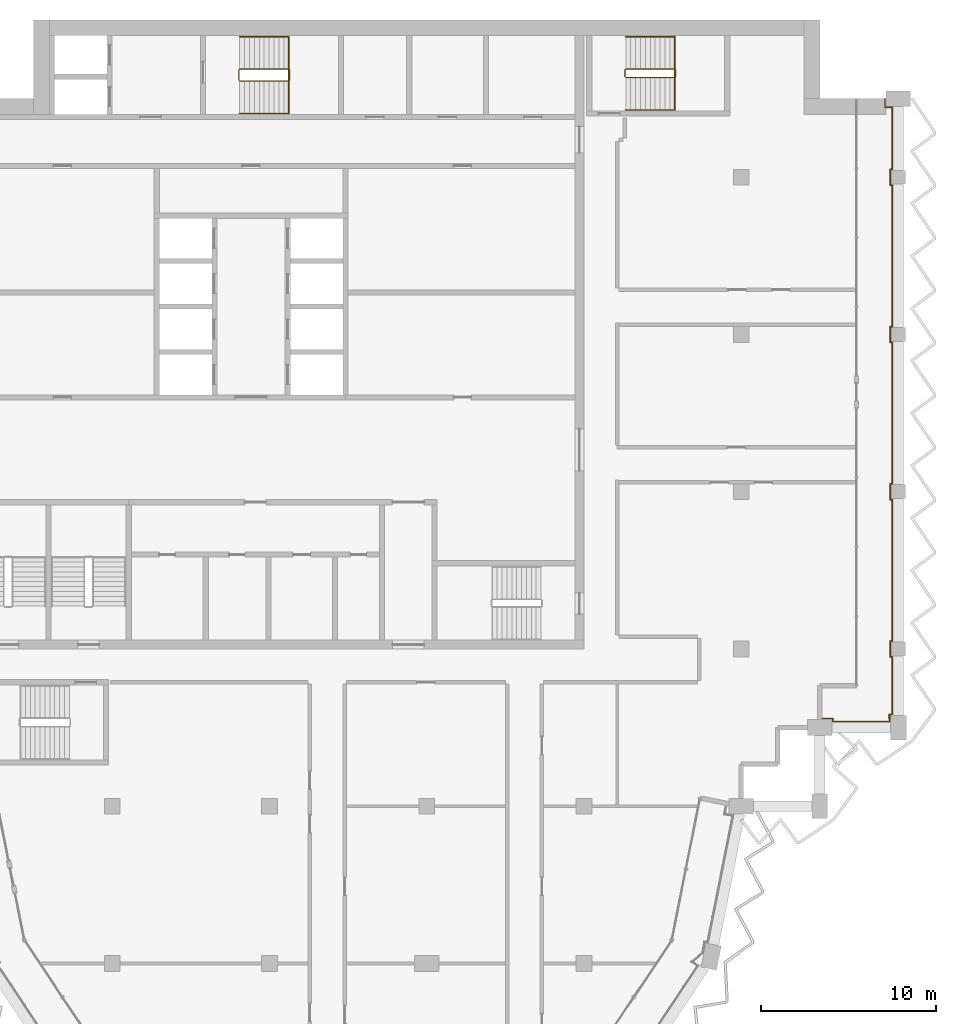
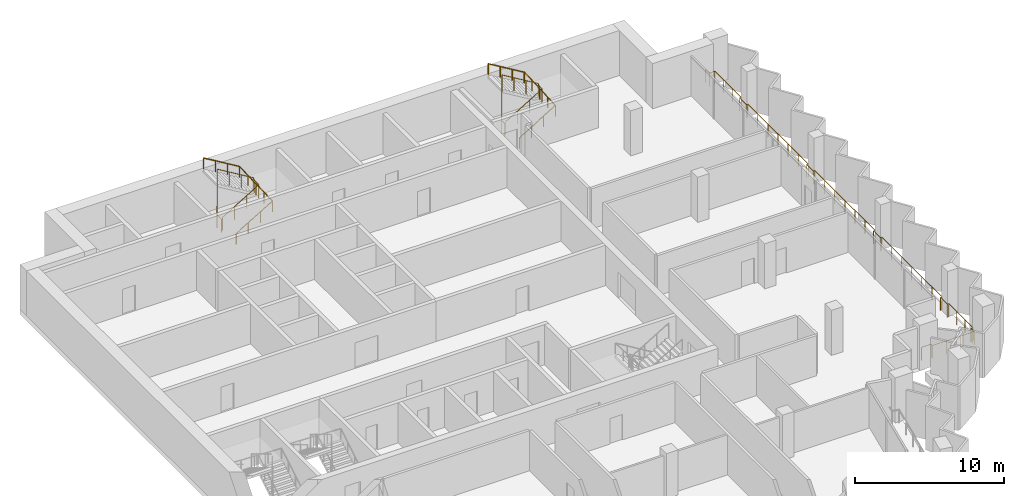
# One storey, part 14 of 14: 5 railings.
"""IFC4 building model written with IfcOpenShell, lengths in metres."""

from ifc_helpers import new_model, si_unit, direction, frame, origin, origin_2d, place, context, subcontext, project, spatial, circle, extrude, material, type_object, element, save


model = new_model("IFC4")

# Units and contexts
model_context = context("Model", 3, precision=1e-05, world=origin(), true_north=direction((0.0, 1.0)))
body_context = subcontext(model_context, "Body", "Model", "MODEL_VIEW")
ifc_project = project(units=[si_unit("LENGTHUNIT", "METRE"), si_unit("AREAUNIT", "SQUARE_METRE"), si_unit("VOLUMEUNIT", "CUBIC_METRE"), si_unit("PLANEANGLEUNIT", "RADIAN"), si_unit("MASSUNIT", "GRAM", prefix="KILO")], contexts=[model_context])

# Site, building, storey
site_placement = place(None, origin())
site = spatial("IfcSite", under=ifc_project, at=site_placement, CompositionType="ELEMENT")
building_placement = place(site_placement, origin())
building = spatial("IfcBuilding", under=site, at=building_placement, Name="Hunhe Ridgeline Campus", CompositionType="ELEMENT")
storey_placement = place(building_placement, frame((0.0, 0.0, 288.199951171875)))
storey = spatial("IfcBuildingStorey", under=building, at=storey_placement, Name="L74", CompositionType="ELEMENT", Elevation=288.199951171875)

# Railings
ifc_material_1 = material(Name="Steel Q355", Category="steel")
railing_type_1 = type_object("IfcRailingType", Name="Loggia guard 1100 Steel Q355", PredefinedType="GUARDRAIL", material=ifc_material_1)
railing_1_placement = place(storey_placement, frame((49.5, 59.02001953125, 0.0)))
element("IfcRailing", 1, at=railing_1_placement, inside=storey, type_object=railing_type_1, Name="Loggia guard 2", PredefinedType="GUARDRAIL", context=body_context, shape_type="SweptSolid", body=[
    extrude(circle(Radius=0.02392578125, at=origin_2d()), frame((0.0, 0.0, 1.076171875), z_axis=(1.0, 0.0, 0.0), x_axis=(0.0, 1.0, 0.0)), (0.0, 0.0, 1.0), 0.75),
    extrude(circle(Radius=0.02392578125, at=origin_2d()), frame((0.75, 0.0, 1.076171875), z_axis=(0.0, -1.0, 0.0), x_axis=(1.0, 0.0, 0.0)), (0.0, 0.0, 1.0), 0.169921875),
    extrude(circle(Radius=0.02392578125, at=origin_2d()), frame((0.75, -0.169921875, 1.076171875), z_axis=(1.0, 0.0, 0.0), x_axis=(0.0, 1.0, 0.0)), (0.0, 0.0, 1.0), 3.25),
    extrude(circle(Radius=0.02392578125, at=origin_2d()), frame((4.0, -0.169921875, 1.076171875), z_axis=(0.0, 1.0, 0.0), x_axis=(-1.0, 0.0, 0.0)), (0.0, 0.0, 1.0), 0.419921875),
    extrude(circle(Radius=0.02392578125, at=origin_2d()), frame((4.0, 0.25, 1.076171875), z_axis=(-0.079822602517, -0.996809085095, 0.0), x_axis=(0.996809085095, -0.079822602517, 0.0)), (0.0, 0.0, 1.0), 0.250732421875),
    extrude(circle(Radius=0.02392578125, at=origin_2d()), frame((3.97998046875, 0.0, 1.076171875), z_axis=(0.0, 1.0, 0.0), x_axis=(-1.0, 0.0, 0.0)), (0.0, 0.0, 1.0), 0.22998046875),
    extrude(circle(Radius=0.02392578125, at=origin_2d()), frame((3.97998046875, 0.22998046875, 1.076171875), z_axis=(1.0, 0.0, 0.0), x_axis=(0.0, 1.0, 0.0)), (0.0, 0.0, 1.0), 0.169921875),
    extrude(circle(Radius=0.02392578125, at=origin_2d()), frame((4.14990234375, 0.22998046875, 1.076171875), z_axis=(0.0, 1.0, 0.0), x_axis=(-1.0, 0.0, 0.0)), (0.0, 0.0, 1.0), 3.300048828125),
    extrude(circle(Radius=0.02392578125, at=origin_2d()), frame((4.14990234375, 3.530029296875, 1.076171875), z_axis=(-1.0, 0.0, 0.0), x_axis=(0.0, -1.0, 0.0)), (0.0, 0.0, 1.0), 0.119873046875),
    extrude(circle(Radius=0.02392578125, at=origin_2d()), frame((4.030029296875, 3.530029296875, 1.076171875), z_axis=(0.0, 1.0, 0.0), x_axis=(-1.0, 0.0, 0.0)), (0.0, 0.0, 1.0), 0.89990234375),
    extrude(circle(Radius=0.02392578125, at=origin_2d()), frame((4.030029296875, 4.429931640625, 1.076171875), z_axis=(1.0, 0.0, 0.0), x_axis=(0.0, 1.0, 0.0)), (0.0, 0.0, 1.0), 0.119873046875),
    extrude(circle(Radius=0.02392578125, at=origin_2d()), frame((4.14990234375, 4.429931640625, 1.076171875), z_axis=(0.0, 1.0, 0.0), x_axis=(-1.0, 0.0, 0.0)), (0.0, 0.0, 1.0), 8.10009765625),
    extrude(circle(Radius=0.02392578125, at=origin_2d()), frame((4.14990234375, 12.530029296875, 1.076171875), z_axis=(-1.0, 0.0, 0.0), x_axis=(0.0, -1.0, 0.0)), (0.0, 0.0, 1.0), 0.119873046875),
    extrude(circle(Radius=0.02392578125, at=origin_2d()), frame((4.030029296875, 12.530029296875, 1.076171875), z_axis=(0.0, 1.0, 0.0), x_axis=(-1.0, 0.0, 0.0)), (0.0, 0.0, 1.0), 0.89990234375),
    extrude(circle(Radius=0.02392578125, at=origin_2d()), frame((4.030029296875, 13.429931640625, 1.076171875), z_axis=(1.0, 0.0, 0.0), x_axis=(0.0, 1.0, 0.0)), (0.0, 0.0, 1.0), 0.119873046875),
    extrude(circle(Radius=0.02392578125, at=origin_2d()), frame((4.14990234375, 13.429931640625, 1.076171875), z_axis=(0.0, 1.0, 0.0), x_axis=(-1.0, 0.0, 0.0)), (0.0, 0.0, 1.0), 8.10009765625),
    extrude(circle(Radius=0.02392578125, at=origin_2d()), frame((4.14990234375, 21.530029296875, 1.076171875), z_axis=(-1.0, 0.0, 0.0), x_axis=(0.0, -1.0, 0.0)), (0.0, 0.0, 1.0), 0.119873046875),
    extrude(circle(Radius=0.02392578125, at=origin_2d()), frame((4.030029296875, 21.530029296875, 1.076171875), z_axis=(0.0, 1.0, 0.0), x_axis=(-1.0, 0.0, 0.0)), (0.0, 0.0, 1.0), 0.89990234375),
    extrude(circle(Radius=0.02392578125, at=origin_2d()), frame((4.030029296875, 22.429931640625, 1.076171875), z_axis=(1.0, 0.0, 0.0), x_axis=(0.0, 1.0, 0.0)), (0.0, 0.0, 1.0), 0.119873046875),
    extrude(circle(Radius=0.02392578125, at=origin_2d()), frame((4.14990234375, 22.429931640625, 1.076171875), z_axis=(0.0, 1.0, 0.0), x_axis=(-1.0, 0.0, 0.0)), (0.0, 0.0, 1.0), 8.10009765625),
    extrude(circle(Radius=0.02392578125, at=origin_2d()), frame((4.14990234375, 30.530029296875, 1.076171875), z_axis=(-1.0, 0.0, 0.0), x_axis=(0.0, -1.0, 0.0)), (0.0, 0.0, 1.0), 0.119873046875),
    extrude(circle(Radius=0.02392578125, at=origin_2d()), frame((4.030029296875, 30.530029296875, 1.076171875), z_axis=(0.0, 1.0, 0.0), x_axis=(-1.0, 0.0, 0.0)), (0.0, 0.0, 1.0), 0.89990234375),
    extrude(circle(Radius=0.02392578125, at=origin_2d()), frame((4.030029296875, 31.429931640625, 1.076171875), z_axis=(1.0, 0.0, 0.0), x_axis=(0.0, 1.0, 0.0)), (0.0, 0.0, 1.0), 0.119873046875),
    extrude(circle(Radius=0.02392578125, at=origin_2d()), frame((4.14990234375, 31.429931640625, 1.076171875), z_axis=(0.0, 1.0, 0.0), x_axis=(-1.0, 0.0, 0.0)), (0.0, 0.0, 1.0), 3.550048828125),
    extrude(circle(Radius=0.02392578125, at=origin_2d()), frame((4.14990234375, 34.97998046875, 1.076171875), z_axis=(-1.0, 0.0, 0.0), x_axis=(0.0, -1.0, 0.0)), (0.0, 0.0, 1.0), 0.419921875),
    extrude(circle(Radius=0.02392578125, at=origin_2d()), frame((3.72998046875, 34.97998046875, 1.076171875), z_axis=(0.0, 1.0, 0.0), x_axis=(-1.0, 0.0, 0.0)), (0.0, 0.0, 1.0), 0.5),
    extrude(circle(Radius=0.02099609375, at=origin_2d()), origin(), (0.0, 0.0, 1.0), 1.052001953125),
    extrude(circle(Radius=0.02099609375, at=origin_2d()), frame((0.75, 0.0, 0.0)), (0.0, 0.0, 1.0), 1.052001953125),
    extrude(circle(Radius=0.02099609375, at=origin_2d()), frame((0.75, -0.169921875, 0.0)), (0.0, 0.0, 1.0), 1.052001953125),
    extrude(circle(Radius=0.02099609375, at=origin_2d()), frame((1.833251953125, -0.169921875, 0.0)), (0.0, 0.0, 1.0), 1.052001953125),
    extrude(circle(Radius=0.02099609375, at=origin_2d()), frame((2.916748046875, -0.169921875, 0.0)), (0.0, 0.0, 1.0), 1.052001953125),
    extrude(circle(Radius=0.02099609375, at=origin_2d()), frame((4.0, -0.169921875, 0.0)), (0.0, 0.0, 1.0), 1.052001953125),
    extrude(circle(Radius=0.02099609375, at=origin_2d()), frame((4.0, 0.25, 0.0)), (0.0, 0.0, 1.0), 1.052001953125),
    extrude(circle(Radius=0.02099609375, at=origin_2d()), frame((3.97998046875, 0.0, 0.0)), (0.0, 0.0, 1.0), 1.052001953125),
    extrude(circle(Radius=0.02099609375, at=origin_2d()), frame((3.97998046875, 0.22998046875, 0.0)), (0.0, 0.0, 1.0), 1.052001953125),
    extrude(circle(Radius=0.02099609375, at=origin_2d()), frame((4.14990234375, 0.22998046875, 0.0)), (0.0, 0.0, 1.0), 1.052001953125),
    extrude(circle(Radius=0.02099609375, at=origin_2d()), frame((4.14990234375, 1.330078125, 0.0)), (0.0, 0.0, 1.0), 1.052001953125),
    extrude(circle(Radius=0.02099609375, at=origin_2d()), frame((4.14990234375, 2.429931640625, 0.0)), (0.0, 0.0, 1.0), 1.052001953125),
    extrude(circle(Radius=0.02099609375, at=origin_2d()), frame((4.14990234375, 3.530029296875, 0.0)), (0.0, 0.0, 1.0), 1.052001953125),
    extrude(circle(Radius=0.02099609375, at=origin_2d()), frame((4.030029296875, 3.530029296875, 0.0)), (0.0, 0.0, 1.0), 1.052001953125),
    extrude(circle(Radius=0.02099609375, at=origin_2d()), frame((4.030029296875, 4.429931640625, 0.0)), (0.0, 0.0, 1.0), 1.052001953125),
    extrude(circle(Radius=0.02099609375, at=origin_2d()), frame((4.14990234375, 4.429931640625, 0.0)), (0.0, 0.0, 1.0), 1.052001953125),
    extrude(circle(Radius=0.02099609375, at=origin_2d()), frame((4.14990234375, 5.780029296875, 0.0)), (0.0, 0.0, 1.0), 1.052001953125),
    extrude(circle(Radius=0.02099609375, at=origin_2d()), frame((4.14990234375, 7.1298828125, 0.0)), (0.0, 0.0, 1.0), 1.052001953125),
    extrude(circle(Radius=0.02099609375, at=origin_2d()), frame((4.14990234375, 8.47998046875, 0.0)), (0.0, 0.0, 1.0), 1.052001953125),
    extrude(circle(Radius=0.02099609375, at=origin_2d()), frame((4.14990234375, 9.830078125, 0.0)), (0.0, 0.0, 1.0), 1.052001953125),
    extrude(circle(Radius=0.02099609375, at=origin_2d()), frame((4.14990234375, 11.179931640625, 0.0)), (0.0, 0.0, 1.0), 1.052001953125),
    extrude(circle(Radius=0.02099609375, at=origin_2d()), frame((4.14990234375, 12.530029296875, 0.0)), (0.0, 0.0, 1.0), 1.052001953125),
    extrude(circle(Radius=0.02099609375, at=origin_2d()), frame((4.030029296875, 12.530029296875, 0.0)), (0.0, 0.0, 1.0), 1.052001953125),
    extrude(circle(Radius=0.02099609375, at=origin_2d()), frame((4.030029296875, 13.429931640625, 0.0)), (0.0, 0.0, 1.0), 1.052001953125),
    extrude(circle(Radius=0.02099609375, at=origin_2d()), frame((4.14990234375, 13.429931640625, 0.0)), (0.0, 0.0, 1.0), 1.052001953125),
    extrude(circle(Radius=0.02099609375, at=origin_2d()), frame((4.14990234375, 14.780029296875, 0.0)), (0.0, 0.0, 1.0), 1.052001953125),
    extrude(circle(Radius=0.02099609375, at=origin_2d()), frame((4.14990234375, 16.1298828125, 0.0)), (0.0, 0.0, 1.0), 1.052001953125),
    extrude(circle(Radius=0.02099609375, at=origin_2d()), frame((4.14990234375, 17.47998046875, 0.0)), (0.0, 0.0, 1.0), 1.052001953125),
    extrude(circle(Radius=0.02099609375, at=origin_2d()), frame((4.14990234375, 18.830078125, 0.0)), (0.0, 0.0, 1.0), 1.052001953125),
    extrude(circle(Radius=0.02099609375, at=origin_2d()), frame((4.14990234375, 20.179931640625, 0.0)), (0.0, 0.0, 1.0), 1.052001953125),
    extrude(circle(Radius=0.02099609375, at=origin_2d()), frame((4.14990234375, 21.530029296875, 0.0)), (0.0, 0.0, 1.0), 1.052001953125),
    extrude(circle(Radius=0.02099609375, at=origin_2d()), frame((4.030029296875, 21.530029296875, 0.0)), (0.0, 0.0, 1.0), 1.052001953125),
    extrude(circle(Radius=0.02099609375, at=origin_2d()), frame((4.030029296875, 22.429931640625, 0.0)), (0.0, 0.0, 1.0), 1.052001953125),
    extrude(circle(Radius=0.02099609375, at=origin_2d()), frame((4.14990234375, 22.429931640625, 0.0)), (0.0, 0.0, 1.0), 1.052001953125),
    extrude(circle(Radius=0.02099609375, at=origin_2d()), frame((4.14990234375, 23.780029296875, 0.0)), (0.0, 0.0, 1.0), 1.052001953125),
    extrude(circle(Radius=0.02099609375, at=origin_2d()), frame((4.14990234375, 25.1298828125, 0.0)), (0.0, 0.0, 1.0), 1.052001953125),
    extrude(circle(Radius=0.02099609375, at=origin_2d()), frame((4.14990234375, 26.47998046875, 0.0)), (0.0, 0.0, 1.0), 1.052001953125),
    extrude(circle(Radius=0.02099609375, at=origin_2d()), frame((4.14990234375, 27.830078125, 0.0)), (0.0, 0.0, 1.0), 1.052001953125),
    extrude(circle(Radius=0.02099609375, at=origin_2d()), frame((4.14990234375, 29.179931640625, 0.0)), (0.0, 0.0, 1.0), 1.052001953125),
    extrude(circle(Radius=0.02099609375, at=origin_2d()), frame((4.14990234375, 30.530029296875, 0.0)), (0.0, 0.0, 1.0), 1.052001953125),
    extrude(circle(Radius=0.02099609375, at=origin_2d()), frame((4.030029296875, 30.530029296875, 0.0)), (0.0, 0.0, 1.0), 1.052001953125),
    extrude(circle(Radius=0.02099609375, at=origin_2d()), frame((4.030029296875, 31.429931640625, 0.0)), (0.0, 0.0, 1.0), 1.052001953125),
    extrude(circle(Radius=0.02099609375, at=origin_2d()), frame((4.14990234375, 31.429931640625, 0.0)), (0.0, 0.0, 1.0), 1.052001953125),
    extrude(circle(Radius=0.02099609375, at=origin_2d()), frame((4.14990234375, 32.61328125, 0.0)), (0.0, 0.0, 1.0), 1.052001953125),
    extrude(circle(Radius=0.02099609375, at=origin_2d()), frame((4.14990234375, 33.796630859375, 0.0)), (0.0, 0.0, 1.0), 1.052001953125),
    extrude(circle(Radius=0.02099609375, at=origin_2d()), frame((4.14990234375, 34.97998046875, 0.0)), (0.0, 0.0, 1.0), 1.052001953125),
    extrude(circle(Radius=0.02099609375, at=origin_2d()), frame((3.72998046875, 34.97998046875, 0.0)), (0.0, 0.0, 1.0), 1.052001953125),
    extrude(circle(Radius=0.02099609375, at=origin_2d()), frame((3.72998046875, 35.47998046875, 0.0)), (0.0, 0.0, 1.0), 1.052001953125),
])
ifc_material_2 = material(Name="Stainless steel balustrade", Category="steel")
railing_type_2 = type_object("IfcRailingType", Name="Stair guard 1100 stainless", PredefinedType="GUARDRAIL", material=ifc_material_2)
railing_2_placement = place(storey_placement, frame((16.300048828125, 95.5, 0.168212890625)))
element("IfcRailing", 2, at=railing_2_placement, inside=storey, type_object=railing_type_2, Name="L74 stair S1 guard", PredefinedType="GUARDRAIL", context=body_context, shape_type="SweptSolid", body=[
    extrude(circle(Radius=0.02392578125, at=origin_2d()), frame((0.0, 0.0, 1.076171875), z_axis=(0.857242210791, 0.0, 0.514913383045), x_axis=(0.0, 1.0, 0.0)), (0.0, 0.0, 1.0), 3.266357421875),
    extrude(circle(Radius=0.02392578125, at=origin_2d()), frame((2.800048828125, 0.0, 2.7578125), z_axis=(0.705375805398, 0.708833529934, 0.0), x_axis=(-0.708833529934, 0.705375805398, 0.0)), (0.0, 0.0, 1.0), 0.070556640625),
    extrude(circle(Radius=0.02392578125, at=origin_2d()), frame((2.849853515625, 0.050048828125, 2.7578125), z_axis=(0.0, 1.0, 0.0), x_axis=(-1.0, 0.0, 0.0)), (0.0, 0.0, 1.0), 0.599853515625),
    extrude(circle(Radius=0.02392578125, at=origin_2d()), frame((2.849853515625, 0.64990234375, 2.7578125), z_axis=(-0.273006030465, 0.27434429532, 0.922064485248), x_axis=(-0.708833529934, -0.705375805398, 0.0)), (0.0, 0.0, 1.0), 0.182373046875),
    extrude(circle(Radius=0.02392578125, at=origin_2d()), frame((2.800048828125, 0.699951171875, 2.92626953125), z_axis=(-0.857275202839, 0.0, 0.514858452973), x_axis=(0.0, -1.0, 0.0)), (0.0, 0.0, 1.0), 3.26611328125),
    extrude(circle(Radius=0.02392578125, at=origin_2d()), frame((0.0, 0.699951171875, 4.60791015625), z_axis=(-0.013524414389, -0.013524414389, -0.999817073484), x_axis=(0.707106781187, -0.707106781187, 0.0)), (0.0, 0.0, 1.0), 3.70068359375),
    extrude(circle(Radius=0.02392578125, at=origin_2d()), frame((-0.050048828125, 0.64990234375, 0.90771484375), z_axis=(0.0, -1.0, 0.0), x_axis=(1.0, 0.0, 0.0)), (0.0, 0.0, 1.0), 0.599853515625),
    extrude(circle(Radius=0.02099609375, at=origin_2d()), origin(), (0.0, 0.0, 1.0), 1.052001953125),
    extrude(circle(Radius=0.02099609375, at=origin_2d()), frame((0.933349609375, 0.0, 0.560546875)), (0.0, 0.0, 1.0), 1.052001953125),
    extrude(circle(Radius=0.02099609375, at=origin_2d()), frame((1.86669921875, 0.0, 1.121337890625)), (0.0, 0.0, 1.0), 1.052001953125),
    extrude(circle(Radius=0.02099609375, at=origin_2d()), frame((2.800048828125, 0.0, 1.681884765625)), (0.0, 0.0, 1.0), 1.052001953125),
    extrude(circle(Radius=0.02099609375, at=origin_2d()), frame((2.849853515625, 0.050048828125, 1.681884765625)), (0.0, 0.0, 1.0), 1.052001953125),
    extrude(circle(Radius=0.02099609375, at=origin_2d()), frame((2.849853515625, 0.64990234375, 1.681884765625)), (0.0, 0.0, 1.0), 1.052001953125),
    extrude(circle(Radius=0.02099609375, at=origin_2d()), frame((2.800048828125, 0.699951171875, 1.85009765625)), (0.0, 0.0, 1.0), 1.052001953125),
    extrude(circle(Radius=0.02099609375, at=origin_2d()), frame((1.86669921875, 0.699951171875, 2.41064453125)), (0.0, 0.0, 1.0), 1.052001953125),
    extrude(circle(Radius=0.02099609375, at=origin_2d()), frame((0.933349609375, 0.699951171875, 2.97119140625)), (0.0, 0.0, 1.0), 1.052001953125),
    extrude(circle(Radius=0.02099609375, at=origin_2d()), frame((0.0, 0.699951171875, 3.53173828125)), (0.0, 0.0, 1.0), 1.052001953125),
    extrude(circle(Radius=0.02099609375, at=origin_2d()), frame((-0.012451171875, 0.6875, 2.606689453125)), (0.0, 0.0, 1.0), 1.052001953125),
    extrude(circle(Radius=0.02099609375, at=origin_2d()), frame((-0.02490234375, 0.6748046875, 1.681640625)), (0.0, 0.0, 1.0), 1.052001953125),
    extrude(circle(Radius=0.02099609375, at=origin_2d()), frame((-0.03759765625, 0.662353515625, 0.7568359375)), (0.0, 0.0, 1.0), 1.052001953125),
    extrude(circle(Radius=0.02099609375, at=origin_2d()), frame((-0.050048828125, 0.64990234375, -0.168212890625)), (0.0, 0.0, 1.0), 1.052001953125),
    extrude(circle(Radius=0.02099609375, at=origin_2d()), frame((-0.050048828125, 0.050048828125, -0.168212890625)), (0.0, 0.0, 1.0), 1.052001953125),
])
railing_3_placement = place(storey_placement, frame((38.39990234375, 95.699951171875, 0.168212890625)))
element("IfcRailing", 3, at=railing_3_placement, inside=storey, type_object=railing_type_2, Name="L74 stair E1 guard", PredefinedType="GUARDRAIL", context=body_context, shape_type="SweptSolid", body=[
    extrude(circle(Radius=0.02392578125, at=origin_2d()), frame((0.0, 0.0, 1.076171875), z_axis=(0.857242210791, 0.0, 0.514913383045), x_axis=(0.0, 1.0, 0.0)), (0.0, 0.0, 1.0), 3.266357421875),
    extrude(circle(Radius=0.02392578125, at=origin_2d()), frame((2.800048828125, 0.0, 2.7578125), z_axis=(0.707106781187, 0.707106781187, 0.0), x_axis=(-0.707106781187, 0.707106781187, 0.0)), (0.0, 0.0, 1.0), 0.07080078125),
    extrude(circle(Radius=0.02392578125, at=origin_2d()), frame((2.85009765625, 0.050048828125, 2.7578125), z_axis=(0.0, 1.0, 0.0), x_axis=(-1.0, 0.0, 0.0)), (0.0, 0.0, 1.0), 0.39990234375),
    extrude(circle(Radius=0.02392578125, at=origin_2d()), frame((2.85009765625, 0.449951171875, 2.7578125), z_axis=(-0.274243871929, 0.274243871929, 0.92172696468), x_axis=(-0.707106781187, -0.707106781187, 0.0)), (0.0, 0.0, 1.0), 0.1826171875),
    extrude(circle(Radius=0.02392578125, at=origin_2d()), frame((2.800048828125, 0.5, 2.92626953125), z_axis=(-0.857275202839, 0.0, 0.514858452973), x_axis=(0.0, -1.0, 0.0)), (0.0, 0.0, 1.0), 3.26611328125),
    extrude(circle(Radius=0.02392578125, at=origin_2d()), frame((0.0, 0.5, 4.60791015625), z_axis=(-0.013458453615, -0.013524426427, -0.999817963389), x_axis=(0.708833529934, -0.705375805398, 0.0)), (0.0, 0.0, 1.0), 3.70068359375),
    extrude(circle(Radius=0.02392578125, at=origin_2d()), frame((-0.0498046875, 0.449951171875, 0.90771484375), z_axis=(0.0, -1.0, 0.0), x_axis=(1.0, 0.0, 0.0)), (0.0, 0.0, 1.0), 0.39990234375),
    extrude(circle(Radius=0.02099609375, at=origin_2d()), origin(), (0.0, 0.0, 1.0), 1.052001953125),
    extrude(circle(Radius=0.02099609375, at=origin_2d()), frame((0.933349609375, 0.0, 0.560546875)), (0.0, 0.0, 1.0), 1.052001953125),
    extrude(circle(Radius=0.02099609375, at=origin_2d()), frame((1.86669921875, 0.0, 1.121337890625)), (0.0, 0.0, 1.0), 1.052001953125),
    extrude(circle(Radius=0.02099609375, at=origin_2d()), frame((2.800048828125, 0.0, 1.681884765625)), (0.0, 0.0, 1.0), 1.052001953125),
    extrude(circle(Radius=0.02099609375, at=origin_2d()), frame((2.85009765625, 0.050048828125, 1.681884765625)), (0.0, 0.0, 1.0), 1.052001953125),
    extrude(circle(Radius=0.02099609375, at=origin_2d()), frame((2.85009765625, 0.449951171875, 1.681884765625)), (0.0, 0.0, 1.0), 1.052001953125),
    extrude(circle(Radius=0.02099609375, at=origin_2d()), frame((2.800048828125, 0.5, 1.85009765625)), (0.0, 0.0, 1.0), 1.052001953125),
    extrude(circle(Radius=0.02099609375, at=origin_2d()), frame((1.86669921875, 0.5, 2.41064453125)), (0.0, 0.0, 1.0), 1.052001953125),
    extrude(circle(Radius=0.02099609375, at=origin_2d()), frame((0.933349609375, 0.5, 2.97119140625)), (0.0, 0.0, 1.0), 1.052001953125),
    extrude(circle(Radius=0.02099609375, at=origin_2d()), frame((0.0, 0.5, 3.53173828125)), (0.0, 0.0, 1.0), 1.052001953125),
    extrude(circle(Radius=0.02099609375, at=origin_2d()), frame((-0.012451171875, 0.487548828125, 2.606689453125)), (0.0, 0.0, 1.0), 1.052001953125),
    extrude(circle(Radius=0.02099609375, at=origin_2d()), frame((-0.02490234375, 0.47509765625, 1.681640625)), (0.0, 0.0, 1.0), 1.052001953125),
    extrude(circle(Radius=0.02099609375, at=origin_2d()), frame((-0.037353515625, 0.46240234375, 0.7568359375)), (0.0, 0.0, 1.0), 1.052001953125),
    extrude(circle(Radius=0.02099609375, at=origin_2d()), frame((-0.0498046875, 0.449951171875, -0.168212890625)), (0.0, 0.0, 1.0), 1.052001953125),
    extrude(circle(Radius=0.02099609375, at=origin_2d()), frame((-0.0498046875, 0.050048828125, -0.168212890625)), (0.0, 0.0, 1.0), 1.052001953125),
])
ifc_material_3 = material(Name="Stainless steel handrail", Category="steel")
railing_type_3 = type_object("IfcRailingType", Name="Stair handrail 900 stainless", PredefinedType="HANDRAIL", material=ifc_material_3)
railing_4_placement = place(storey_placement, frame((16.300048828125, 93.64990234375, 0.168212890625)))
element("IfcRailing", 4, at=railing_4_placement, inside=storey, type_object=railing_type_3, Name="L74 stair S1 handrail", PredefinedType="HANDRAIL", context=body_context, shape_type="SweptSolid", body=[
    extrude(circle(Radius=0.02392578125, at=origin_2d()), frame((0.0, 0.0, 0.8759765625), z_axis=(0.857242210791, 0.0, 0.514913383045), x_axis=(0.0, 1.0, 0.0)), (0.0, 0.0, 1.0), 3.266357421875),
    extrude(circle(Radius=0.02392578125, at=origin_2d()), frame((2.800048828125, 0.0, 2.5576171875), z_axis=(0.0, 0.999270074432, 0.038201025428), x_axis=(-1.0, 0.0, 0.0)), (0.0, 0.0, 1.0), 4.4033203125),
    extrude(circle(Radius=0.02392578125, at=origin_2d()), frame((2.800048828125, 4.400146484375, 2.72607421875), z_axis=(-0.857275202839, 0.0, 0.514858452973), x_axis=(0.0, -1.0, 0.0)), (0.0, 0.0, 1.0), 3.26611328125),
    extrude(circle(Radius=0.02099609375, at=origin_2d()), origin(), (0.0, 0.0, 1.0), 0.851806640625),
    extrude(circle(Radius=0.02099609375, at=origin_2d()), frame((0.933349609375, 0.0, 0.560546875)), (0.0, 0.0, 1.0), 0.851806640625),
    extrude(circle(Radius=0.02099609375, at=origin_2d()), frame((1.86669921875, 0.0, 1.121337890625)), (0.0, 0.0, 1.0), 0.851806640625),
    extrude(circle(Radius=0.02099609375, at=origin_2d()), frame((2.800048828125, 0.0, 1.681884765625)), (0.0, 0.0, 1.0), 0.851806640625),
    extrude(circle(Radius=0.02099609375, at=origin_2d()), frame((2.800048828125, 1.10009765625, 1.723876953125)), (0.0, 0.0, 1.0), 0.851806640625),
    extrude(circle(Radius=0.02099609375, at=origin_2d()), frame((2.800048828125, 2.2001953125, 1.76611328125)), (0.0, 0.0, 1.0), 0.851806640625),
    extrude(circle(Radius=0.02099609375, at=origin_2d()), frame((2.800048828125, 3.300048828125, 1.80810546875)), (0.0, 0.0, 1.0), 0.851806640625),
    extrude(circle(Radius=0.02099609375, at=origin_2d()), frame((2.800048828125, 4.400146484375, 1.85009765625)), (0.0, 0.0, 1.0), 0.851806640625),
    extrude(circle(Radius=0.02099609375, at=origin_2d()), frame((1.86669921875, 4.400146484375, 2.41064453125)), (0.0, 0.0, 1.0), 0.851806640625),
    extrude(circle(Radius=0.02099609375, at=origin_2d()), frame((0.933349609375, 4.400146484375, 2.97119140625)), (0.0, 0.0, 1.0), 0.851806640625),
    extrude(circle(Radius=0.02099609375, at=origin_2d()), frame((0.0, 4.400146484375, 3.53173828125)), (0.0, 0.0, 1.0), 0.851806640625),
])
railing_5_placement = place(storey_placement, frame((38.39990234375, 93.85009765625, 0.168212890625)))
element("IfcRailing", 5, at=railing_5_placement, inside=storey, type_object=railing_type_3, Name="L74 stair E1 handrail", PredefinedType="HANDRAIL", context=body_context, shape_type="SweptSolid", body=[
    extrude(circle(Radius=0.02392578125, at=origin_2d()), frame((0.0, 0.0, 0.8759765625), z_axis=(0.857242210791, 0.0, 0.514913383045), x_axis=(0.0, 1.0, 0.0)), (0.0, 0.0, 1.0), 3.266357421875),
    extrude(circle(Radius=0.02392578125, at=origin_2d()), frame((2.800048828125, 0.0, 2.5576171875), z_axis=(0.0, 0.999198916169, 0.040019069537), x_axis=(-1.0, 0.0, 0.0)), (0.0, 0.0, 1.0), 4.203369140625),
    extrude(circle(Radius=0.02392578125, at=origin_2d()), frame((2.800048828125, 4.199951171875, 2.72607421875), z_axis=(-0.857275202839, 0.0, 0.514858452973), x_axis=(0.0, -1.0, 0.0)), (0.0, 0.0, 1.0), 3.26611328125),
    extrude(circle(Radius=0.02099609375, at=origin_2d()), origin(), (0.0, 0.0, 1.0), 0.851806640625),
    extrude(circle(Radius=0.02099609375, at=origin_2d()), frame((0.933349609375, 0.0, 0.560546875)), (0.0, 0.0, 1.0), 0.851806640625),
    extrude(circle(Radius=0.02099609375, at=origin_2d()), frame((1.86669921875, 0.0, 1.121337890625)), (0.0, 0.0, 1.0), 0.851806640625),
    extrude(circle(Radius=0.02099609375, at=origin_2d()), frame((2.800048828125, 0.0, 1.681884765625)), (0.0, 0.0, 1.0), 0.851806640625),
    extrude(circle(Radius=0.02099609375, at=origin_2d()), frame((2.800048828125, 1.050048828125, 1.723876953125)), (0.0, 0.0, 1.0), 0.851806640625),
    extrude(circle(Radius=0.02099609375, at=origin_2d()), frame((2.800048828125, 2.10009765625, 1.76611328125)), (0.0, 0.0, 1.0), 0.851806640625),
    extrude(circle(Radius=0.02099609375, at=origin_2d()), frame((2.800048828125, 3.14990234375, 1.80810546875)), (0.0, 0.0, 1.0), 0.851806640625),
    extrude(circle(Radius=0.02099609375, at=origin_2d()), frame((2.800048828125, 4.199951171875, 1.85009765625)), (0.0, 0.0, 1.0), 0.851806640625),
    extrude(circle(Radius=0.02099609375, at=origin_2d()), frame((1.86669921875, 4.199951171875, 2.41064453125)), (0.0, 0.0, 1.0), 0.851806640625),
    extrude(circle(Radius=0.02099609375, at=origin_2d()), frame((0.933349609375, 4.199951171875, 2.97119140625)), (0.0, 0.0, 1.0), 0.851806640625),
    extrude(circle(Radius=0.02099609375, at=origin_2d()), frame((0.0, 4.199951171875, 3.53173828125)), (0.0, 0.0, 1.0), 0.851806640625),
])

save(model, "model.ifc")
